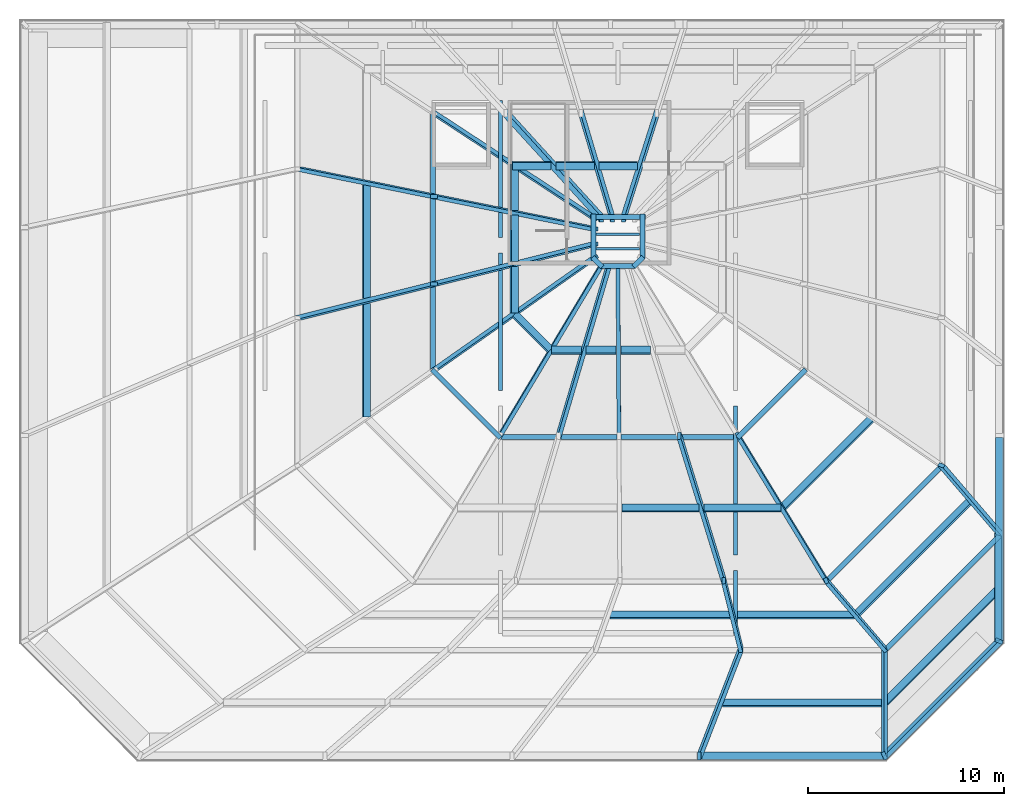
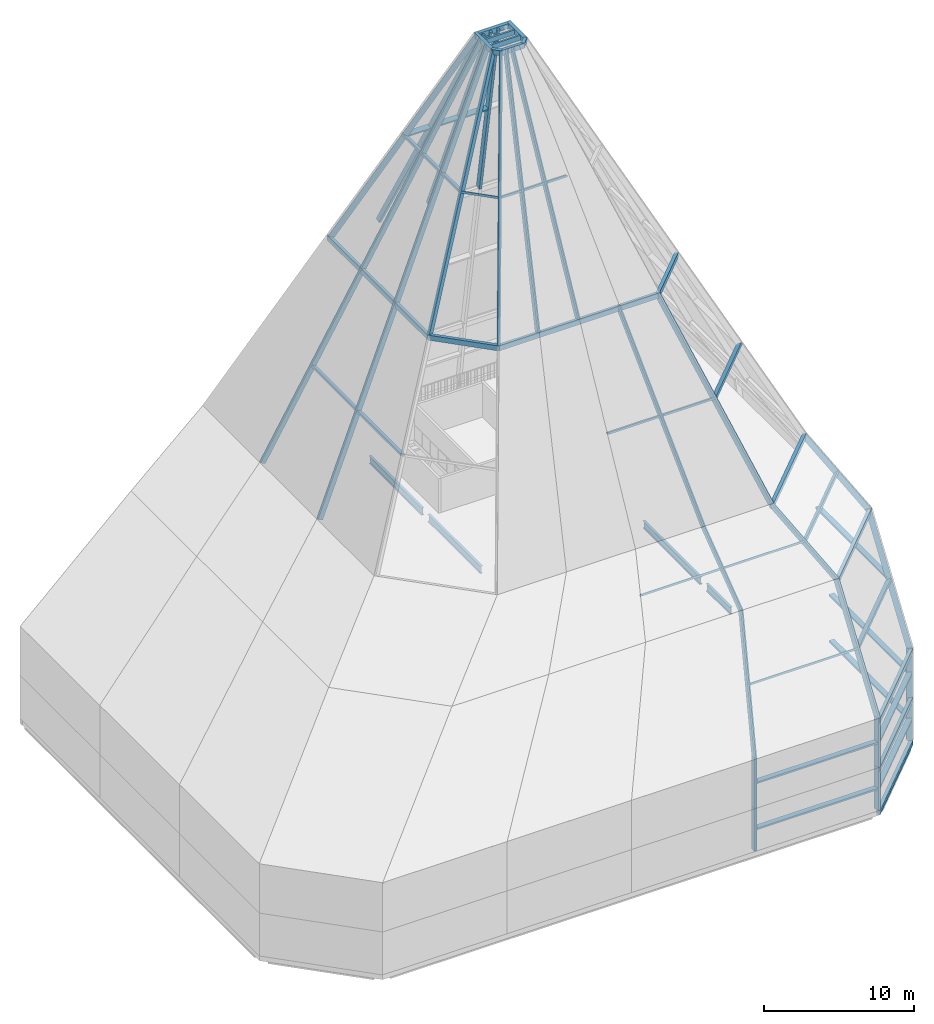
# One storey, part 2 of 7: 70 members, 4 beams.
"""IFC4 building model written with IfcOpenShell, lengths in metres."""

import ifcopenshell
import ifcopenshell.guid

model = None  # the IFC model being written
_history = None  # IfcOwnerHistory: only IFC2X3 demands one
_inside = {}  # id of a spatial element -> (the spatial element, [elements in it])
_under = {}  # id of a project, library or spatial element -> (it, [spatial elements below it])
_declared = {}  # id of a project -> (the project, [libraries it declares])
_typed = {}  # id of a type object -> (the type object, [elements of that type])
_made_of = {}  # id of a material, layer set ... -> (it, [elements and type objects made of it])


def new_model(schema):
    """Start an empty IFC model of exactly this schema.

    Asked for "IFC4X3", IfcOpenShell would pick the latest addendum, in which some entities
    have other attributes; the version numbers below select the first issue.
    IFC2X3 requires an IfcOwnerHistory on every rooted entity: one is made here for all.
    """
    global model, _history
    if schema == "IFC4X3":
        model = ifcopenshell.file(schema_version=(4, 3, 0, 0))
    else:
        model = ifcopenshell.file(schema=schema)
    _inside.clear()
    _under.clear()
    _declared.clear()
    _typed.clear()
    _made_of.clear()
    _history = None
    if model.schema == "IFC2X3":
        org = make("IfcOrganization", Name="unknown")
        user = make(
            "IfcPersonAndOrganization",
            ThePerson=make("IfcPerson", FamilyName="unknown"),
            TheOrganization=org,
        )
        app = make(
            "IfcApplication",
            ApplicationDeveloper=org,
            Version="unknown",
            ApplicationFullName="unknown",
            ApplicationIdentifier="unknown",
        )
        _history = make(
            "IfcOwnerHistory",
            OwningUser=user,
            OwningApplication=app,
            ChangeAction="ADDED",
            CreationDate=0,
        )
    return model


def make(cls, **values):
    """One entity of the class cls with the attributes given. An attribute that is None is left unset."""
    return model.create_entity(
        cls, **{name: value for name, value in values.items() if value is not None}
    )


def rooted(cls, **values):
    """An entity with a GlobalId (a new one), such as an element, a storey or a relation."""
    return make(cls, GlobalId=ifcopenshell.guid.new(), OwnerHistory=_history, **values)


def si_unit(unit_type, name, prefix=None):
    """IfcSIUnit, for example si_unit("LENGTHUNIT", "METRE", prefix="MILLI")."""
    return make("IfcSIUnit", UnitType=unit_type, Prefix=prefix, Name=name)


def assignment(units):
    """IfcUnitAssignment: the units of a project."""
    return None if units is None else make("IfcUnitAssignment", Units=units)


def point(xyz):
    """IfcCartesianPoint."""
    return None if xyz is None else make("IfcCartesianPoint", Coordinates=xyz)


def direction(xyz):
    """IfcDirection."""
    return None if xyz is None else make("IfcDirection", DirectionRatios=xyz)


def frame(location, z_axis=None, x_axis=None):
    """IfcAxis2Placement3D, a coordinate frame: its origin and axes. An axis left out is left unset."""
    return make(
        "IfcAxis2Placement3D",
        Location=point(location),
        Axis=direction(z_axis),
        RefDirection=direction(x_axis),
    )


def frame_2d(location, x_axis=None):
    """IfcAxis2Placement2D, a coordinate frame in the plane: its origin and x axis."""
    return make(
        "IfcAxis2Placement2D", Location=point(location), RefDirection=direction(x_axis)
    )


def origin():
    """The frame at (0, 0, 0) with its axes left unset."""
    return frame((0.0, 0.0, 0.0))


def origin_2d():
    """The frame at (0, 0) in the plane with its x axis left unset."""
    return frame_2d((0.0, 0.0))


def place(relative_to, where):
    """IfcLocalPlacement: puts the frame where relative to a parent placement (None: the world)."""
    return make(
        "IfcLocalPlacement", PlacementRelTo=relative_to, RelativePlacement=where
    )


def context(
    kind, dimensions, precision=None, world=None, true_north=None, identifier=None
):
    """IfcGeometricRepresentationContext, for example the 3D "Model" context."""
    return make(
        "IfcGeometricRepresentationContext",
        ContextIdentifier=identifier,
        ContextType=kind,
        CoordinateSpaceDimension=dimensions,
        Precision=precision,
        WorldCoordinateSystem=world,
        TrueNorth=true_north,
    )


def subcontext(parent, identifier, kind, view, scale=None):
    """IfcGeometricRepresentationSubContext, for example "Body" below "Model"."""
    return make(
        "IfcGeometricRepresentationSubContext",
        ContextIdentifier=identifier,
        ContextType=kind,
        ParentContext=parent,
        TargetScale=scale,
        TargetView=view,
    )


def project(units=None, contexts=None):
    """IfcProject with its units and contexts."""
    return rooted(
        "IfcProject",
        Name="project",
        RepresentationContexts=contexts,
        UnitsInContext=assignment(units),
    )


def spatial(cls, under=None, at=None, **own):
    """A site, building, storey or space (cls), placed at a placement, below another one or the project."""
    s = rooted(cls, ObjectPlacement=at, **own)
    if under is not None:
        _under.setdefault(under.id(), (under, []))[1].append(s)
    return s


def profile(cls, at=None, kind="AREA", **sizes):
    """A parametric profile (cls). Its sizes go by their IFC names, for example OverallWidth=200.0."""
    return make(cls, ProfileType=kind, Position=at, **sizes)


def rectangle(**sizes):
    """IfcRectangleProfileDef."""
    return profile("IfcRectangleProfileDef", **sizes)


def i_section(**sizes):
    """IfcIShapeProfileDef."""
    return profile("IfcIShapeProfileDef", **sizes)


def extrude(swept, where, along, depth):
    """IfcExtrudedAreaSolid: the profile swept, set in the frame where, extruded along a direction by depth."""
    return make(
        "IfcExtrudedAreaSolid",
        SweptArea=swept,
        Position=where,
        ExtrudedDirection=direction(along),
        Depth=depth,
    )


def shape(context_of_items, identifier, shape_type, items):
    """IfcShapeRepresentation: the items that make up one representation, for example the "Body"."""
    return make(
        "IfcShapeRepresentation",
        ContextOfItems=context_of_items,
        RepresentationIdentifier=identifier,
        RepresentationType=shape_type,
        Items=items,
    )


def material(Name=None, Category=None):
    """IfcMaterial."""
    return make("IfcMaterial", Name=Name, Category=Category)


def material_profile(
    of_material, cross_section, Name=None, Category=None, Priority=None
):
    """IfcMaterialProfile: a cross section and its material."""
    return make(
        "IfcMaterialProfile",
        Name=Name,
        Material=of_material,
        Profile=cross_section,
        Priority=Priority,
        Category=Category,
    )


def profile_set(profiles, Name=None, composite=None):
    """IfcMaterialProfileSet."""
    return make(
        "IfcMaterialProfileSet",
        Name=Name,
        MaterialProfiles=profiles,
        CompositeProfile=composite,
    )


def made_of(thing, what):
    """Note that an element or type object is made of a material, layer set ...; save() writes the relation."""
    if what is not None:
        _made_of.setdefault(what.id(), (what, []))[1].append(thing)
    return thing


def type_object(cls, material=None, **own):
    """A type object (cls), such as IfcWallType, which elements share."""
    return made_of(rooted(cls, **own), material)


def element(
    cls,
    number,
    at=None,
    inside=None,
    cuts=None,
    type_object=None,
    material=None,
    context=None,
    identifier="Body",
    shape_type=None,
    held_by="IfcProductDefinitionShape",
    body=None,
    shapes=None,
    **own,
):
    """One element of the class cls, such as IfcWall. Its Tag is "e" and its number.

    at: its placement. inside: the storey or other place that contains it. cuts: it is an
    opening in that element (IfcRelVoidsElement). A single representation is given by context,
    identifier, shape_type and body (its items); several are given by shapes. held_by: the class
    of the entity that holds the representations. save() writes the other relations.
    """
    e = rooted(cls, Tag="e%d" % number, ObjectPlacement=at, **own)
    if body is not None:
        shapes = [shape(context, identifier, shape_type, body)]
    if shapes is not None:
        e.Representation = make(held_by, Representations=shapes)
    if inside is not None:
        _inside.setdefault(inside.id(), (inside, []))[1].append(e)
    if cuts is not None:
        rooted(
            "IfcRelVoidsElement", RelatingBuildingElement=cuts, RelatedOpeningElement=e
        )
    if type_object is not None:
        _typed.setdefault(type_object.id(), (type_object, []))[1].append(e)
    return made_of(e, material)


def aggregate(whole, parts):
    """IfcRelAggregates: a whole, such as a stair, and the parts it consists of."""
    return rooted("IfcRelAggregates", RelatingObject=whole, RelatedObjects=parts)


def save(model, path):
    """Write the relations noted so far, then the file.

    IfcRelAggregates (storeys below a building ...), IfcRelContainedInSpatialStructure (elements
    in a storey), IfcRelDefinesByType, IfcRelAssociatesMaterial and IfcRelDeclares: one each for
    every whole, place, type object, material and project.
    """
    for whole, parts in _under.values():
        aggregate(whole, parts)
    for where, things in _inside.values():
        rooted(
            "IfcRelContainedInSpatialStructure",
            RelatedElements=things,
            RelatingStructure=where,
        )
    for kind, things in _typed.values():
        rooted("IfcRelDefinesByType", RelatedObjects=things, RelatingType=kind)
    for what, things in _made_of.values():
        rooted("IfcRelAssociatesMaterial", RelatedObjects=things, RelatingMaterial=what)
    for by, libraries in _declared.values():
        rooted("IfcRelDeclares", RelatingContext=by, RelatedDefinitions=libraries)
    model.write(path)


model = new_model("IFC4")

# Units and contexts
model_context = context("Model", 3, precision=1e-05, world=origin(), true_north=direction((0.0, 1.0)))
body_context = subcontext(model_context, "Body", "Model", "MODEL_VIEW")
ifc_project = project(units=[si_unit("LENGTHUNIT", "METRE"), si_unit("AREAUNIT", "SQUARE_METRE"), si_unit("VOLUMEUNIT", "CUBIC_METRE"), si_unit("PLANEANGLEUNIT", "RADIAN"), si_unit("MASSUNIT", "GRAM", prefix="KILO")], contexts=[model_context])

# Site, building, storey
site_placement = place(None, origin())
site = spatial("IfcSite", under=ifc_project, at=site_placement, CompositionType="ELEMENT")
building_placement = place(site_placement, origin())
building = spatial("IfcBuilding", under=site, at=building_placement, Name="Sorahane Residences", CompositionType="ELEMENT")
storey_placement = place(building_placement, frame((0.0, 0.0, 357.800048828125)))
storey = spatial("IfcBuildingStorey", under=building, at=storey_placement, Name="RF", CompositionType="ELEMENT", Elevation=357.800048828125)

# Members
ifc_material_1 = material(Name="Steel Q355B", Category="steel")
ifc_material_profile_1 = material_profile(ifc_material_1, rectangle(XDim=0.199951171875, YDim=0.39990234375, at=origin_2d()), Name="CROWN FRAME hip rib Steel Q355B 200x400")
ifc_profile_set_1 = profile_set([ifc_material_profile_1], Name="Steel Q355B")
member_type_1 = type_object("IfcMemberType", Name="CROWN FRAME hip rib Steel Q355B 200x400", PredefinedType="RAFTER", material=ifc_profile_set_1)
for number, where, z_axis, x_axis, name in (
    (1, (28.14990234375, 11.72998046875, -15.47998046875), (0.0, 0.0, 1.0), (-1.0, 0.0, 0.0), "CROWN FRAME hip rib 1.5"),
    (2, (37.59521484375, 11.7529296875, -15.47998046875), (0.0, 0.0, 1.0), (-0.923879532511, -0.382683432365, 0.0), "CROWN FRAME hip rib 1.6"),
    (3, (43.447021484375, 17.604736328125, -15.47998046875), (0.0, 0.0, 1.0), (-0.382683432365, -0.923879532511, 0.0), "CROWN FRAME hip rib 1.7"),
):
    element("IfcMember", number, at=place(storey_placement, frame(where, z_axis=z_axis, x_axis=x_axis)), inside=storey, type_object=member_type_1, Name=name, PredefinedType="RAFTER", context=body_context, shape_type="SweptSolid", body=[
        extrude(rectangle(XDim=0.199951171875, YDim=0.39990234375, at=origin_2d()), origin(), (0.0, 0.0, 1.0), 3.47998046875),
    ])
for number, where, z_axis, x_axis, name in (
    (4, (28.14990234375, 11.72998046875, -12.0), (0.0, 0.0, 1.0), (-1.0, 0.0, 0.0), "CROWN FRAME hip rib 2.5"),
    (5, (37.59521484375, 11.7529296875, -12.0), (0.0, 0.0, 1.0), (-0.923879532511, -0.382683432365, 0.0), "CROWN FRAME hip rib 2.6"),
    (6, (43.447021484375, 17.604736328125, -12.0), (0.0, 0.0, 1.0), (-0.382683432365, -0.923879532511, 0.0), "CROWN FRAME hip rib 2.7"),
):
    element("IfcMember", number, at=place(storey_placement, frame(where, z_axis=z_axis, x_axis=x_axis)), inside=storey, type_object=member_type_1, Name=name, PredefinedType="RAFTER", context=body_context, shape_type="SweptSolid", body=[
        extrude(rectangle(XDim=0.199951171875, YDim=0.39990234375, at=origin_2d()), origin(), (0.0, 0.0, 1.0), 4.0),
    ])
member_1_placement = place(storey_placement, frame((28.14990234375, 11.689453125, -8.13037109375), z_axis=(0.213823791536, 0.553426283976, 0.804983685783), x_axis=(-0.976872246597, 0.12113664818, 0.176200244879)))
element("IfcMember", 7, at=member_1_placement, inside=storey, type_object=member_type_1, Name="CROWN FRAME hip rib 3.5", PredefinedType="RAFTER", context=body_context, shape_type="SweptSolid", body=[
    extrude(rectangle(XDim=0.199951171875, YDim=0.39990234375, at=origin_2d()), origin(), (0.0, 0.0, 1.0), 9.93798828125),
])
for number, where, z_axis, x_axis, name in (
    (8, (37.609619140625, 11.707763671875, -8.142822265625), (0.0, 0.566528822887, 0.824041924199), (-0.941205500469, -0.278389860343, 0.191393028986), "CROWN FRAME hip rib 3.6"),
    (9, (43.446533203125, 17.5986328125, -8.06787109375), (0.0, 0.566528822887, 0.824041924199), (-0.426647666878, -0.745278280494, 0.51237881784), "CROWN FRAME hip rib 3.7"),
):
    element("IfcMember", number, at=place(storey_placement, frame(where, z_axis=z_axis, x_axis=x_axis)), inside=storey, type_object=member_type_1, Name=name, PredefinedType="RAFTER", context=body_context, shape_type="SweptSolid", body=[
        extrude(rectangle(XDim=0.199951171875, YDim=0.39990234375, at=origin_2d()), origin(), (0.0, 0.0, 1.0), 9.708251953125),
    ])
member_2_placement = place(storey_placement, frame((30.27490234375, 17.1884765625, -0.1318359375), z_axis=(-0.141914569973, 0.567658279891, 0.810940399845), x_axis=(-0.989878909175, -0.081383166748, -0.116260592382)))
element("IfcMember", 10, at=member_2_placement, inside=storey, type_object=member_type_1, Name="CROWN FRAME hip rib 4.5", PredefinedType="RAFTER", context=body_context, shape_type="SweptSolid", body=[
    extrude(rectangle(XDim=0.199951171875, YDim=0.39990234375, at=origin_2d()), origin(), (0.0, 0.0, 1.0), 6.165771484375),
])
for number, where, z_axis, x_axis, name in (
    (11, (37.6279296875, 17.185302734375, -0.1728515625), (-0.441128773256, 0.514650235466, 0.735214622094), (-0.854828275194, -0.490408804841, -0.169610801728), "CROWN FRAME hip rib 4.6"),
    (12, (43.5068359375, 23.072998046875, -0.1669921875), (-0.441128773256, 0.514650235466, 0.735214622094), (-0.525632466138, -0.812175450376, 0.25314333558), "CROWN FRAME hip rib 4.7"),
):
    element("IfcMember", number, at=place(storey_placement, frame(where, z_axis=z_axis, x_axis=x_axis)), inside=storey, type_object=member_type_1, Name=name, PredefinedType="RAFTER", context=body_context, shape_type="SweptSolid", body=[
        extrude(rectangle(XDim=0.199951171875, YDim=0.39990234375, at=origin_2d()), origin(), (0.0, 0.0, 1.0), 6.80078125),
    ])
member_3_placement = place(storey_placement, frame((29.39990234375, 20.7041015625, 4.89404296875), z_axis=(-0.140299722633, 0.456340445954, 0.878674789223), x_axis=(-0.990109078738, -0.064659188259, -0.124511853146)))
element("IfcMember", 13, at=member_3_placement, inside=storey, type_object=member_type_1, Name="CROWN FRAME hip rib 5.5", PredefinedType="RAFTER", context=body_context, shape_type="SweptSolid", body=[
    extrude(rectangle(XDim=0.199951171875, YDim=0.39990234375, at=origin_2d()), origin(), (0.0, 0.0, 1.0), 16.16064453125),
])
member_4_placement = place(storey_placement, frame((34.613525390625, 20.71240234375, 4.8623046875), z_axis=(-0.270120327619, 0.443765961625, 0.854462860463), x_axis=(-0.906978400065, -0.415128221074, -0.071124833107)))
element("IfcMember", 14, at=member_4_placement, inside=storey, type_object=member_type_1, Name="CROWN FRAME hip rib 5.6", PredefinedType="RAFTER", context=body_context, shape_type="SweptSolid", body=[
    extrude(rectangle(XDim=0.199951171875, YDim=0.39990234375, at=origin_2d()), origin(), (0.0, 0.0, 1.0), 16.61865234375),
])
member_5_placement = place(storey_placement, frame((7.706787109375, 41.699951171875, 4.899169921875), z_axis=(0.436182032374, -0.088572773014, 0.895488748402), x_axis=(0.038766372606, 0.9960697081, 0.07963858965)))
element("IfcMember", 15, at=member_5_placement, inside=storey, type_object=member_type_1, Name="CROWN FRAME hip rib 5.16", PredefinedType="RAFTER", context=body_context, shape_type="SweptSolid", body=[
    extrude(rectangle(XDim=0.199951171875, YDim=0.39990234375, at=origin_2d()), origin(), (0.0, 0.0, 1.0), 15.857421875),
])
member_6_placement = place(storey_placement, frame((7.706787109375, 34.10009765625, 4.899169921875), z_axis=(0.435314528834, 0.108571263307, 0.893707749642), x_axis=(-0.047520626843, 0.994088668145, -0.097619208617)))
element("IfcMember", 16, at=member_6_placement, inside=storey, type_object=member_type_1, Name="CROWN FRAME hip rib 5.17", PredefinedType="RAFTER", context=body_context, shape_type="SweptSolid", body=[
    extrude(rectangle(XDim=0.199951171875, YDim=0.39990234375, at=origin_2d()), origin(), (0.0, 0.0, 1.0), 15.88916015625),
])
member_7_placement = place(storey_placement, frame((14.631591796875, 31.4423828125, 19.0654296875), z_axis=(0.418725544084, 0.293941109588, 0.859224966366), x_axis=(-0.426010508288, 0.899174595807, -0.10000046542)))
element("IfcMember", 17, at=member_7_placement, inside=storey, type_object=member_type_1, Name="CROWN FRAME hip rib 6.1", PredefinedType="RAFTER", context=body_context, shape_type="SweptSolid", body=[
    extrude(rectangle(XDim=0.199951171875, YDim=0.39990234375, at=origin_2d()), origin(), (0.0, 0.0, 1.0), 19.54345703125),
])
member_8_placement = place(storey_placement, frame((17.98388671875, 28.08740234375, 19.062744140625), z_axis=(0.265048718795, 0.444500756091, 0.855668308692), x_axis=(-0.908244216139, 0.41308263272, 0.066747152709)))
element("IfcMember", 18, at=member_8_placement, inside=storey, type_object=member_type_1, Name="CROWN FRAME hip rib 6.2", PredefinedType="RAFTER", context=body_context, shape_type="SweptSolid", body=[
    extrude(rectangle(XDim=0.199951171875, YDim=0.39990234375, at=origin_2d()), origin(), (0.0, 0.0, 1.0), 19.62890625),
])
member_9_placement = place(storey_placement, frame((20.975830078125, 28.078857421875, 19.093994140625), z_axis=(0.134928771469, 0.45734250413, 0.878994914972), x_axis=(-0.990855295376, 0.062187509006, 0.119743464748)))
element("IfcMember", 19, at=member_9_placement, inside=storey, type_object=member_type_1, Name="CROWN FRAME hip rib 6.3", PredefinedType="RAFTER", context=body_context, shape_type="SweptSolid", body=[
    extrude(rectangle(XDim=0.199951171875, YDim=0.39990234375, at=origin_2d()), origin(), (0.0, 0.0, 1.0), 19.078369140625),
])
member_10_placement = place(storey_placement, frame((24.05419921875, 28.078857421875, 19.093994140625), z_axis=(-0.002865506119, 0.461307762176, 0.887235559156), x_axis=(-0.999995894426, -0.001319837496, -0.002543454272)))
element("IfcMember", 20, at=member_10_placement, inside=storey, type_object=member_type_1, Name="CROWN FRAME hip rib 6.4", PredefinedType="RAFTER", context=body_context, shape_type="SweptSolid", body=[
    extrude(rectangle(XDim=0.199951171875, YDim=0.39990234375, at=origin_2d()), origin(), (0.0, 0.0, 1.0), 18.914306640625),
])
member_11_placement = place(storey_placement, frame((25.981689453125, 44.546142578125, 19.1298828125), z_axis=(-0.096206660639, -0.303333941779, 0.948015188809), x_axis=(0.995361379175, -0.029263815368, 0.091647989376)))
element("IfcMember", 21, at=member_11_placement, inside=storey, type_object=member_type_1, Name="CROWN FRAME hip rib 6.12", PredefinedType="RAFTER", context=body_context, shape_type="SweptSolid", body=[
    extrude(rectangle(XDim=0.199951171875, YDim=0.39990234375, at=origin_2d()), origin(), (0.0, 0.0, 1.0), 17.6875),
])
member_12_placement = place(storey_placement, frame((22.126708984375, 44.546142578125, 19.1298828125), z_axis=(0.090127246018, -0.303499288768, 0.948559571794), x_axis=(0.995930256914, 0.027413936925, -0.085856854271)))
element("IfcMember", 22, at=member_12_placement, inside=storey, type_object=member_type_1, Name="CROWN FRAME hip rib 6.13", PredefinedType="RAFTER", context=body_context, shape_type="SweptSolid", body=[
    extrude(rectangle(XDim=0.199951171875, YDim=0.39990234375, at=origin_2d()), origin(), (0.0, 0.0, 1.0), 17.677978515625),
])
member_13_placement = place(storey_placement, frame((18.271728515625, 44.546142578125, 19.1298828125), z_axis=(0.26775029702, -0.293880757533, 0.917574999004), x_axis=(0.963488312711, 0.081448119243, -0.255061708498)))
element("IfcMember", 23, at=member_13_placement, inside=storey, type_object=member_type_1, Name="CROWN FRAME hip rib 6.14", PredefinedType="RAFTER", context=body_context, shape_type="SweptSolid", body=[
    extrude(rectangle(XDim=0.199951171875, YDim=0.39990234375, at=origin_2d()), origin(), (0.0, 0.0, 1.0), 18.256591796875),
])
member_14_placement = place(storey_placement, frame((14.6123046875, 44.55810546875, 19.03857421875), z_axis=(0.420898764832, -0.27596131201, 0.864112020537), x_axis=(0.682816575369, 0.72349976568, -0.101536266732)))
element("IfcMember", 24, at=member_14_placement, inside=storey, type_object=member_type_1, Name="CROWN FRAME hip rib 6.15", PredefinedType="RAFTER", context=body_context, shape_type="SweptSolid", body=[
    extrude(rectangle(XDim=0.199951171875, YDim=0.39990234375, at=origin_2d()), origin(), (0.0, 0.0, 1.0), 19.44189453125),
])
member_15_placement = place(storey_placement, frame((14.62353515625, 40.29541015625, 19.099365234375), z_axis=(0.436751443099, -0.088708011117, 0.895197780222), x_axis=(0.03886034834, 0.996057672598, 0.079743251664)))
element("IfcMember", 25, at=member_15_placement, inside=storey, type_object=member_type_1, Name="CROWN FRAME hip rib 6.16", PredefinedType="RAFTER", context=body_context, shape_type="SweptSolid", body=[
    extrude(rectangle(XDim=0.199951171875, YDim=0.39990234375, at=origin_2d()), origin(), (0.0, 0.0, 1.0), 18.73681640625),
])
member_16_placement = place(storey_placement, frame((14.62353515625, 35.8251953125, 19.099365234375), z_axis=(0.435920541017, 0.108749293356, 0.893390660973), x_axis=(-0.047634307628, 0.99406920662, -0.097761880026)))
element("IfcMember", 26, at=member_16_placement, inside=storey, type_object=member_type_1, Name="CROWN FRAME hip rib 6.17", PredefinedType="RAFTER", context=body_context, shape_type="SweptSolid", body=[
    extrude(rectangle(XDim=0.199951171875, YDim=0.39990234375, at=origin_2d()), origin(), (0.0, 0.0, 1.0), 18.7724609375),
])
ifc_material_2 = material(Name="Steel Q355B", Category="steel")
ifc_material_profile_2 = material_profile(ifc_material_2, rectangle(XDim=0.139892578125, YDim=0.39990234375, at=origin_2d()), Name="CROWN FRAME purlin Steel Q355B 140x400")
ifc_profile_set_2 = profile_set([ifc_material_profile_2], Name="Steel Q355B")
member_type_2 = type_object("IfcMemberType", Name="CROWN FRAME purlin Steel Q355B 140x400", PredefinedType="PURLIN", material=ifc_profile_set_2)
member_17_placement = place(storey_placement, frame((28.2548828125, 11.72998046875, -13.739990234375), z_axis=(1.0, 0.0, 0.0), x_axis=(0.0, 0.0, 1.0)))
element("IfcMember", 27, at=member_17_placement, inside=storey, type_object=member_type_2, Name="CROWN FRAME purlin 1.5", PredefinedType="PURLIN", context=body_context, shape_type="SweptSolid", body=[
    extrude(rectangle(XDim=0.139892578125, YDim=0.39990234375, at=origin_2d()), origin(), (0.0, 0.0, 1.0), 9.3251953125),
])
member_18_placement = place(storey_placement, frame((37.622314453125, 11.74755859375, -13.739990234375), z_axis=(0.707091975923, 0.70712158614, 0.0), x_axis=(0.0, 0.0, 1.0)))
element("IfcMember", 28, at=member_18_placement, inside=storey, type_object=member_type_2, Name="CROWN FRAME purlin 1.6", PredefinedType="PURLIN", context=body_context, shape_type="SweptSolid", body=[
    extrude(rectangle(XDim=0.139892578125, YDim=0.39990234375, at=origin_2d()), origin(), (0.0, 0.0, 1.0), 8.2451171875),
])
member_19_placement = place(storey_placement, frame((43.469970703125, 17.6201171875, -13.739990234375), z_axis=(0.0, 1.0, 0.0), x_axis=(0.0, 0.0, 1.0)))
element("IfcMember", 29, at=member_19_placement, inside=storey, type_object=member_type_2, Name="CROWN FRAME purlin 1.7", PredefinedType="PURLIN", context=body_context, shape_type="SweptSolid", body=[
    extrude(rectangle(XDim=0.139892578125, YDim=0.39990234375, at=origin_2d()), origin(), (0.0, 0.0, 1.0), 10.375),
])
member_20_placement = place(storey_placement, frame((28.2548828125, 11.72998046875, -10.0), z_axis=(1.0, 0.0, 0.0), x_axis=(0.0, 0.0, 1.0)))
element("IfcMember", 30, at=member_20_placement, inside=storey, type_object=member_type_2, Name="CROWN FRAME purlin 2.5", PredefinedType="PURLIN", context=body_context, shape_type="SweptSolid", body=[
    extrude(rectangle(XDim=0.139892578125, YDim=0.39990234375, at=origin_2d()), origin(), (0.0, 0.0, 1.0), 9.3251953125),
])
member_21_placement = place(storey_placement, frame((37.622314453125, 11.74755859375, -10.0), z_axis=(0.707091975923, 0.70712158614, 0.0), x_axis=(0.0, 0.0, 1.0)))
element("IfcMember", 31, at=member_21_placement, inside=storey, type_object=member_type_2, Name="CROWN FRAME purlin 2.6", PredefinedType="PURLIN", context=body_context, shape_type="SweptSolid", body=[
    extrude(rectangle(XDim=0.139892578125, YDim=0.39990234375, at=origin_2d()), origin(), (0.0, 0.0, 1.0), 8.2451171875),
])
member_22_placement = place(storey_placement, frame((43.469970703125, 17.6201171875, -10.0), z_axis=(0.0, 1.0, 0.0), x_axis=(0.0, 0.0, 1.0)))
element("IfcMember", 32, at=member_22_placement, inside=storey, type_object=member_type_2, Name="CROWN FRAME purlin 2.7", PredefinedType="PURLIN", context=body_context, shape_type="SweptSolid", body=[
    extrude(rectangle(XDim=0.139892578125, YDim=0.39990234375, at=origin_2d()), origin(), (0.0, 0.0, 1.0), 10.375),
])
member_23_placement = place(storey_placement, frame((29.33251953125, 14.439453125, -4.13037109375), z_axis=(1.0, 0.0, 0.0), x_axis=(0.0, 0.566528492273, 0.824042151497)))
element("IfcMember", 33, at=member_23_placement, inside=storey, type_object=member_type_2, Name="CROWN FRAME purlin 3.5", PredefinedType="PURLIN", context=body_context, shape_type="SweptSolid", body=[
    extrude(rectangle(XDim=0.139892578125, YDim=0.39990234375, at=origin_2d()), origin(), (0.0, 0.0, 1.0), 8.24755859375),
])
member_24_placement = place(storey_placement, frame((37.638671875, 14.481201171875, -4.1005859375), z_axis=(0.70712158614, 0.707091975923, 0.0), x_axis=(-0.30914875717, 0.309161703098, 0.899358708902)))
element("IfcMember", 34, at=member_24_placement, inside=storey, type_object=member_type_2, Name="CROWN FRAME purlin 3.6", PredefinedType="PURLIN", context=body_context, shape_type="SweptSolid", body=[
    extrude(rectangle(XDim=0.139892578125, YDim=0.39990234375, at=origin_2d()), origin(), (0.0, 0.0, 1.0), 8.2451171875),
])
member_25_placement = place(storey_placement, frame((43.469970703125, 20.3701171875, -4.0), z_axis=(0.0, 1.0, 0.0), x_axis=(0.0, 0.0, 1.0)))
element("IfcMember", 35, at=member_25_placement, inside=storey, type_object=member_type_2, Name="CROWN FRAME purlin 3.7", PredefinedType="PURLIN", context=body_context, shape_type="SweptSolid", body=[
    extrude(rectangle(XDim=0.139892578125, YDim=0.39990234375, at=origin_2d()), origin(), (0.0, 0.0, 1.0), 9.443115234375),
])
for number, where, z_axis, x_axis, name in (
    (36, (23.594970703125, 18.9384765625, 2.3681640625), (1.0, 0.0, 0.0), (0.0, 0.573462055558, 0.819232122682), "CROWN FRAME purlin 4.4"),
    (37, (29.95751953125, 18.9384765625, 2.3681640625), (1.0, 0.0, 0.0), (0.0, 0.573462055558, 0.819232122682), "CROWN FRAME purlin 4.5"),
):
    element("IfcMember", number, at=place(storey_placement, frame(where, z_axis=z_axis, x_axis=x_axis)), inside=storey, type_object=member_type_2, Name=name, PredefinedType="PURLIN", context=body_context, shape_type="SweptSolid", body=[
        extrude(rectangle(XDim=0.139892578125, YDim=0.39990234375, at=origin_2d()), origin(), (0.0, 0.0, 1.0), 6.12255859375),
    ])
member_26_placement = place(storey_placement, frame((36.1650390625, 18.95458984375, 2.34423828125), z_axis=(0.707106781187, 0.707106781187, 0.0), x_axis=(-0.478536370982, 0.478536370982, 0.736210488444)))
element("IfcMember", 38, at=member_26_placement, inside=storey, type_object=member_type_2, Name="CROWN FRAME purlin 4.6", PredefinedType="PURLIN", context=body_context, shape_type="SweptSolid", body=[
    extrude(rectangle(XDim=0.139892578125, YDim=0.39990234375, at=origin_2d()), origin(), (0.0, 0.0, 1.0), 8.245361328125),
])
for number, where, z_axis, x_axis, name in (
    (39, (24.197021484375, 24.3916015625, 11.993896484375), (1.0, 0.0, 0.0), (0.0, 0.460900029143, 0.887452062444), "CROWN FRAME purlin 5.4"),
    (40, (28.38623046875, 24.3916015625, 11.993896484375), (1.0, 0.0, 0.0), (0.0, 0.460900029143, 0.887452062444), "CROWN FRAME purlin 5.5"),
):
    element("IfcMember", number, at=place(storey_placement, frame(where, z_axis=z_axis, x_axis=x_axis)), inside=storey, type_object=member_type_2, Name=name, PredefinedType="PURLIN", context=body_context, shape_type="SweptSolid", body=[
        extrude(rectangle(XDim=0.139892578125, YDim=0.39990234375, at=origin_2d()), origin(), (0.0, 0.0, 1.0), 3.94921875),
    ])
member_27_placement = place(storey_placement, frame((32.400390625, 24.412353515625, 11.98291015625), z_axis=(0.707106781187, 0.707106781187, 0.0), x_axis=(-0.359664034081, 0.359664034081, 0.860978260572)))
element("IfcMember", 41, at=member_27_placement, inside=storey, type_object=member_type_2, Name="CROWN FRAME purlin 5.6", PredefinedType="PURLIN", context=body_context, shape_type="SweptSolid", body=[
    extrude(rectangle(XDim=0.139892578125, YDim=0.39990234375, at=origin_2d()), origin(), (0.0, 0.0, 1.0), 6.463623046875),
])
member_28_placement = place(storey_placement, frame((11.165283203125, 35.082763671875, 11.999267578125), z_axis=(0.0, 1.0, 0.0), x_axis=(-0.437909893785, 0.0, -0.899018867947)))
element("IfcMember", 42, at=member_28_placement, inside=storey, type_object=member_type_2, Name="CROWN FRAME purlin 5.16", PredefinedType="PURLIN", context=body_context, shape_type="SweptSolid", body=[
    extrude(rectangle(XDim=0.139892578125, YDim=0.39990234375, at=origin_2d()), origin(), (0.0, 0.0, 1.0), 5.794921875),
])
member_29_placement = place(storey_placement, frame((11.165283203125, 29.047607421875, 11.999267578125), z_axis=(0.0, 1.0, 0.0), x_axis=(-0.437909893785, 0.0, -0.899018867947)))
element("IfcMember", 43, at=member_29_placement, inside=storey, type_object=member_type_2, Name="CROWN FRAME purlin 5.17", PredefinedType="PURLIN", context=body_context, shape_type="SweptSolid", body=[
    extrude(rectangle(XDim=0.139892578125, YDim=0.39990234375, at=origin_2d()), origin(), (0.0, 0.0, 1.0), 5.795166015625),
])
member_30_placement = place(storey_placement, frame((18.733642578125, 34.283203125, 27.483642578125), z_axis=(0.707106781187, -0.707106781187, 0.0), x_axis=(0.357601669418, 0.357601669418, 0.86269466908)))
element("IfcMember", 44, at=member_30_placement, inside=storey, type_object=member_type_2, Name="CROWN FRAME purlin 6.1", PredefinedType="PURLIN", context=body_context, shape_type="SweptSolid", body=[
    extrude(rectangle(XDim=0.139892578125, YDim=0.39990234375, at=origin_2d()), origin(), (0.0, 0.0, 1.0), 2.57470703125),
])
for number, where, z_axis, x_axis, name in (
    (45, (20.61865234375, 32.44140625, 27.493896484375), (1.0, 0.0, 0.0), (0.0, 0.460903126932, 0.887450453594), "CROWN FRAME purlin 6.2"),
    (46, (22.3828125, 32.44140625, 27.493896484375), (1.0, 0.0, 0.0), (0.0, 0.460903126932, 0.887450453594), "CROWN FRAME purlin 6.3"),
    (47, (24.147216796875, 32.44140625, 27.493896484375), (1.0, 0.0, 0.0), (0.0, 0.460903126932, 0.887450453594), "CROWN FRAME purlin 6.4"),
):
    element("IfcMember", number, at=place(storey_placement, frame(where, z_axis=z_axis, x_axis=x_axis)), inside=storey, type_object=member_type_2, Name=name, PredefinedType="PURLIN", context=body_context, shape_type="SweptSolid", body=[
        extrude(rectangle(XDim=0.139892578125, YDim=0.39990234375, at=origin_2d()), origin(), (0.0, 0.0, 1.0), 1.524169921875),
    ])
member_31_placement = place(storey_placement, frame((23.04345703125, 41.863525390625, 27.530029296875), z_axis=(1.0, 0.0, 0.0), x_axis=(0.0, 0.30422094101, -0.952601500656)))
element("IfcMember", 48, at=member_31_placement, inside=storey, type_object=member_type_2, Name="CROWN FRAME purlin 6.12", PredefinedType="PURLIN", context=body_context, shape_type="SweptSolid", body=[
    extrude(rectangle(XDim=0.139892578125, YDim=0.39990234375, at=origin_2d()), origin(), (0.0, 0.0, 1.0), 1.96728515625),
])
for number, where, z_axis, x_axis, name in (
    (49, (20.8359375, 41.863525390625, 27.530029296875), (1.0, 0.0, 0.0), (0.0, 0.30422094101, -0.952601500656), "CROWN FRAME purlin 6.13"),
    (50, (18.62841796875, 41.863525390625, 27.530029296875), (1.0, 0.0, 0.0), (0.0, 0.30422094101, -0.952601500656), "CROWN FRAME purlin 6.14"),
):
    element("IfcMember", number, at=place(storey_placement, frame(where, z_axis=z_axis, x_axis=x_axis)), inside=storey, type_object=member_type_2, Name=name, PredefinedType="PURLIN", context=body_context, shape_type="SweptSolid", body=[
        extrude(rectangle(XDim=0.139892578125, YDim=0.39990234375, at=origin_2d()), origin(), (0.0, 0.0, 1.0), 1.967529296875),
    ])
member_32_placement = place(storey_placement, frame((18.715087890625, 39.584228515625, 27.499267578125), z_axis=(0.0, 1.0, 0.0), x_axis=(-0.4379083247, 0.0, -0.899019632243)))
element("IfcMember", 51, at=member_32_placement, inside=storey, type_object=member_type_2, Name="CROWN FRAME purlin 6.15", PredefinedType="PURLIN", context=body_context, shape_type="SweptSolid", body=[
    extrude(rectangle(XDim=0.139892578125, YDim=0.39990234375, at=origin_2d()), origin(), (0.0, 0.0, 1.0), 2.37841796875),
])
member_33_placement = place(storey_placement, frame((18.715087890625, 36.966064453125, 27.499267578125), z_axis=(0.0, 1.0, 0.0), x_axis=(-0.4379083247, 0.0, -0.899019632243)))
element("IfcMember", 52, at=member_33_placement, inside=storey, type_object=member_type_2, Name="CROWN FRAME purlin 6.16", PredefinedType="PURLIN", context=body_context, shape_type="SweptSolid", body=[
    extrude(rectangle(XDim=0.139892578125, YDim=0.39990234375, at=origin_2d()), origin(), (0.0, 0.0, 1.0), 2.378173828125),
])
member_34_placement = place(storey_placement, frame((18.715087890625, 34.34765625, 27.499267578125), z_axis=(0.0, 1.0, 0.0), x_axis=(-0.4379083247, 0.0, -0.899019632243)))
element("IfcMember", 53, at=member_34_placement, inside=storey, type_object=member_type_2, Name="CROWN FRAME purlin 6.17", PredefinedType="PURLIN", context=body_context, shape_type="SweptSolid", body=[
    extrude(rectangle(XDim=0.139892578125, YDim=0.39990234375, at=origin_2d()), origin(), (0.0, 0.0, 1.0), 2.37841796875),
])
for number, where, z_axis, x_axis, name in (
    (54, (22.889892578125, 37.6298828125, 35.77001953125), (1.0, 0.0, 0.0), (0.0, 1.0, 0.0), "CROWN FRAME purlin 7.1"),
    (55, (22.889892578125, 38.3701171875, 35.77001953125), (1.0, 0.0, 0.0), (0.0, 1.0, 0.0), "CROWN FRAME purlin 7.2"),
):
    element("IfcMember", number, at=place(storey_placement, frame(where, z_axis=z_axis, x_axis=x_axis)), inside=storey, type_object=member_type_2, Name=name, PredefinedType="PURLIN", context=body_context, shape_type="SweptSolid", body=[
        extrude(rectangle(XDim=0.139892578125, YDim=0.39990234375, at=origin_2d()), origin(), (0.0, 0.0, 1.0), 2.22021484375),
    ])
ifc_material_3 = material(Name="Steel Q355B", Category="steel")
ifc_material_profile_3 = material_profile(ifc_material_3, rectangle(XDim=0.25, YDim=0.39990234375, at=origin_2d()), Name="CROWN FRAME ring beam Steel Q355B 250x400")
ifc_profile_set_3 = profile_set([ifc_material_profile_3], Name="Steel Q355B")
member_type_3 = type_object("IfcMemberType", Name="CROWN FRAME ring beam Steel Q355B 250x400", PredefinedType="BRACE", material=ifc_profile_set_3)
for number, where, z_axis, x_axis, name in (
    (56, (37.597412109375, 11.6025390625, -15.679931640625), (0.707106781187, 0.707106781187, 0.0), (-0.707106781187, 0.707106781187, 0.0), "CROWN FRAME ring beam 1.3"),
    (57, (37.597412109375, 11.6025390625, -12.199951171875), (0.707106781187, 0.707106781187, 0.0), (-0.707106781187, 0.707106781187, 0.0), "CROWN FRAME ring beam 2.3"),
    (58, (37.597412109375, 11.6025390625, -8.2685546875), (0.707106781187, 0.707106781187, 0.0), (-0.707106781187, 0.707106781187, 0.0), "CROWN FRAME ring beam 3.3"),
    (59, (37.597412109375, 17.1025390625, -0.244384765625), (0.707106781187, 0.707106781187, 0.0), (-0.707106781187, 0.707106781187, 0.0), "CROWN FRAME ring beam 4.3"),
    (60, (34.597412109375, 20.6025390625, 4.740966796875), (0.707106781187, 0.707106781187, 0.0), (-0.707106781187, 0.707106781187, 0.0), "CROWN FRAME ring beam 5.3"),
):
    element("IfcMember", number, at=place(storey_placement, frame(where, z_axis=z_axis, x_axis=x_axis)), inside=storey, type_object=member_type_3, Name=name, PredefinedType="BRACE", context=body_context, shape_type="SweptSolid", body=[
        extrude(rectangle(XDim=0.25, YDim=0.39990234375, at=origin_2d()), origin(), (0.0, 0.0, 1.0), 8.4853515625),
    ])
member_35_placement = place(storey_placement, frame((14.519287109375, 31.4580078125, 18.940673828125), z_axis=(0.707106781187, -0.707106781187, 0.0), x_axis=(0.707106781187, 0.707106781187, 0.0)))
element("IfcMember", 61, at=member_35_placement, inside=storey, type_object=member_type_3, Name="CROWN FRAME ring beam 6.1", PredefinedType="BRACE", context=body_context, shape_type="SweptSolid", body=[
    extrude(rectangle(XDim=0.25, YDim=0.39990234375, at=origin_2d()), origin(), (0.0, 0.0, 1.0), 4.92236328125),
])
member_36_placement = place(storey_placement, frame((17.8974609375, 28.019775390625, 18.934814453125), z_axis=(1.0, 0.0, 0.0), x_axis=(0.0, 1.0, 0.0)))
element("IfcMember", 62, at=member_36_placement, inside=storey, type_object=member_type_3, Name="CROWN FRAME ring beam 6.2", PredefinedType="BRACE", context=body_context, shape_type="SweptSolid", body=[
    extrude(rectangle(XDim=0.25, YDim=0.39990234375, at=origin_2d()), origin(), (0.0, 0.0, 1.0), 12.3134765625),
])
member_37_placement = place(storey_placement, frame((30.1083984375, 27.977294921875, 18.94091796875), z_axis=(0.707106781187, 0.707106781187, 0.0), x_axis=(-0.707106781187, 0.707106781187, 0.0)))
element("IfcMember", 63, at=member_37_placement, inside=storey, type_object=member_type_3, Name="CROWN FRAME ring beam 6.3", PredefinedType="BRACE", context=body_context, shape_type="SweptSolid", body=[
    extrude(rectangle(XDim=0.25, YDim=0.39990234375, at=origin_2d()), origin(), (0.0, 0.0, 1.0), 4.92236328125),
])
member_38_placement = place(storey_placement, frame((14.561767578125, 31.35546875, 18.931396484375), z_axis=(0.0, 1.0, 0.0), x_axis=(-1.0, 0.0, 0.0)))
element("IfcMember", 64, at=member_38_placement, inside=storey, type_object=member_type_3, Name="CROWN FRAME ring beam 6.6", PredefinedType="BRACE", context=body_context, shape_type="SweptSolid", body=[
    extrude(rectangle(XDim=0.25, YDim=0.39990234375, at=origin_2d()), origin(), (0.0, 0.0, 1.0), 13.40966796875),
])
member_39_placement = place(storey_placement, frame((22.702392578125, 37.202392578125, 35.77001953125), z_axis=(0.707106781187, -0.707106781187, 0.0), x_axis=(0.707106781187, 0.707106781187, 0.0)))
element("IfcMember", 65, at=member_39_placement, inside=storey, type_object=member_type_3, Name="CROWN FRAME ring beam 7.1", PredefinedType="BRACE", context=body_context, shape_type="SweptSolid", body=[
    extrude(rectangle(XDim=0.25, YDim=0.39990234375, at=origin_2d()), origin(), (0.0, 0.0, 1.0), 0.70703125),
])
member_40_placement = place(storey_placement, frame((23.10009765625, 36.7451171875, 35.77001953125), z_axis=(1.0, 0.0, 0.0), x_axis=(0.0, 1.0, 0.0)))
element("IfcMember", 66, at=member_40_placement, inside=storey, type_object=member_type_3, Name="CROWN FRAME ring beam 7.2", PredefinedType="BRACE", context=body_context, shape_type="SweptSolid", body=[
    extrude(rectangle(XDim=0.25, YDim=0.39990234375, at=origin_2d()), origin(), (0.0, 0.0, 1.0), 1.7998046875),
])
member_41_placement = place(storey_placement, frame((24.797607421875, 36.702392578125, 35.77001953125), z_axis=(0.707106781187, 0.707106781187, 0.0), x_axis=(-0.707106781187, 0.707106781187, 0.0)))
element("IfcMember", 67, at=member_41_placement, inside=storey, type_object=member_type_3, Name="CROWN FRAME ring beam 7.3", PredefinedType="BRACE", context=body_context, shape_type="SweptSolid", body=[
    extrude(rectangle(XDim=0.25, YDim=0.39990234375, at=origin_2d()), origin(), (0.0, 0.0, 1.0), 0.70703125),
])
member_42_placement = place(storey_placement, frame((25.2548828125, 37.10009765625, 35.77001953125), z_axis=(0.0, 1.0, 0.0), x_axis=(-1.0, 0.0, 0.0)))
element("IfcMember", 68, at=member_42_placement, inside=storey, type_object=member_type_3, Name="CROWN FRAME ring beam 7.4", PredefinedType="BRACE", context=body_context, shape_type="SweptSolid", body=[
    extrude(rectangle(XDim=0.25, YDim=0.39990234375, at=origin_2d()), origin(), (0.0, 0.0, 1.0), 2.2998046875),
])
member_43_placement = place(storey_placement, frame((22.60009765625, 39.2548828125, 35.77001953125), z_axis=(1.0, 0.0, 0.0), x_axis=(0.0, 1.0, 0.0)))
element("IfcMember", 69, at=member_43_placement, inside=storey, type_object=member_type_3, Name="CROWN FRAME ring beam 7.5", PredefinedType="BRACE", context=body_context, shape_type="SweptSolid", body=[
    extrude(rectangle(XDim=0.25, YDim=0.39990234375, at=origin_2d()), origin(), (0.0, 0.0, 1.0), 2.7998046875),
])
member_44_placement = place(storey_placement, frame((22.7451171875, 37.10009765625, 35.77001953125), z_axis=(0.0, 1.0, 0.0), x_axis=(-1.0, 0.0, 0.0)))
element("IfcMember", 70, at=member_44_placement, inside=storey, type_object=member_type_3, Name="CROWN FRAME ring beam 7.6", PredefinedType="BRACE", context=body_context, shape_type="SweptSolid", body=[
    extrude(rectangle(XDim=0.25, YDim=0.39990234375, at=origin_2d()), origin(), (0.0, 0.0, 1.0), 2.2998046875),
])

# Beams
ifc_material_4 = material(Name="Steel Q355B", Category="steel")
ifc_material_profile_4 = material_profile(ifc_material_4, i_section(OverallWidth=0.199951171875, OverallDepth=0.60009765625, WebThickness=0.010986328125, FlangeThickness=0.01708984375, FilletRadius=0.02392578125, at=origin_2d()), Name="HN 600x200x11x17")
ifc_profile_set_4 = profile_set([ifc_material_profile_4], Name="Steel Q355B")
beam_type = type_object("IfcBeamType", Name="Steel floor beam HN 600x200x11x17 Q355B", PredefinedType="BEAM", material=ifc_profile_set_4)
for number, where, z_axis, x_axis, name in (
    (71, (18.0, 30.39990234375, -0.550048828125), (0.0, 1.0, 0.0), (-1.0, 0.0, 0.0), "Beam RF 008"),
    (72, (18.0, 38.199951171875, -0.550048828125), (0.0, 1.0, 0.0), (-1.0, 0.0, 0.0), "Beam RF 009"),
):
    element("IfcBeam", number, at=place(storey_placement, frame(where, z_axis=z_axis, x_axis=x_axis)), inside=storey, type_object=beam_type, Name=name, PredefinedType="BEAM", context=body_context, shape_type="SweptSolid", body=[
        extrude(i_section(OverallWidth=0.199951171875, OverallDepth=0.60009765625, WebThickness=0.010986328125, FlangeThickness=0.01708984375, FilletRadius=0.02392578125, at=origin_2d()), origin(), (0.0, 0.0, 1.0), 7.0),
    ])
beam_1_placement = place(storey_placement, frame((30.0, 22.0, -0.550048828125), z_axis=(0.0, 1.0, 0.0), x_axis=(-1.0, 0.0, 0.0)))
element("IfcBeam", 73, at=beam_1_placement, inside=storey, type_object=beam_type, Name="Beam RF 013", PredefinedType="BEAM", context=body_context, shape_type="SweptSolid", body=[
    extrude(i_section(OverallWidth=0.199951171875, OverallDepth=0.60009765625, WebThickness=0.010986328125, FlangeThickness=0.01708984375, FilletRadius=0.02392578125, at=origin_2d()), origin(), (0.0, 0.0, 1.0), 7.60009765625),
])
beam_2_placement = place(storey_placement, frame((30.0, 18.0, -0.550048828125), z_axis=(0.0, 1.0, 0.0), x_axis=(-1.0, 0.0, 0.0)))
element("IfcBeam", 74, at=beam_2_placement, inside=storey, type_object=beam_type, Name="Beam RF 017", PredefinedType="BEAM", context=body_context, shape_type="SweptSolid", body=[
    extrude(i_section(OverallWidth=0.199951171875, OverallDepth=0.60009765625, WebThickness=0.010986328125, FlangeThickness=0.01708984375, FilletRadius=0.02392578125, at=origin_2d()), origin(), (0.0, 0.0, 1.0), 3.199951171875),
])

save(model, "model.ifc")
